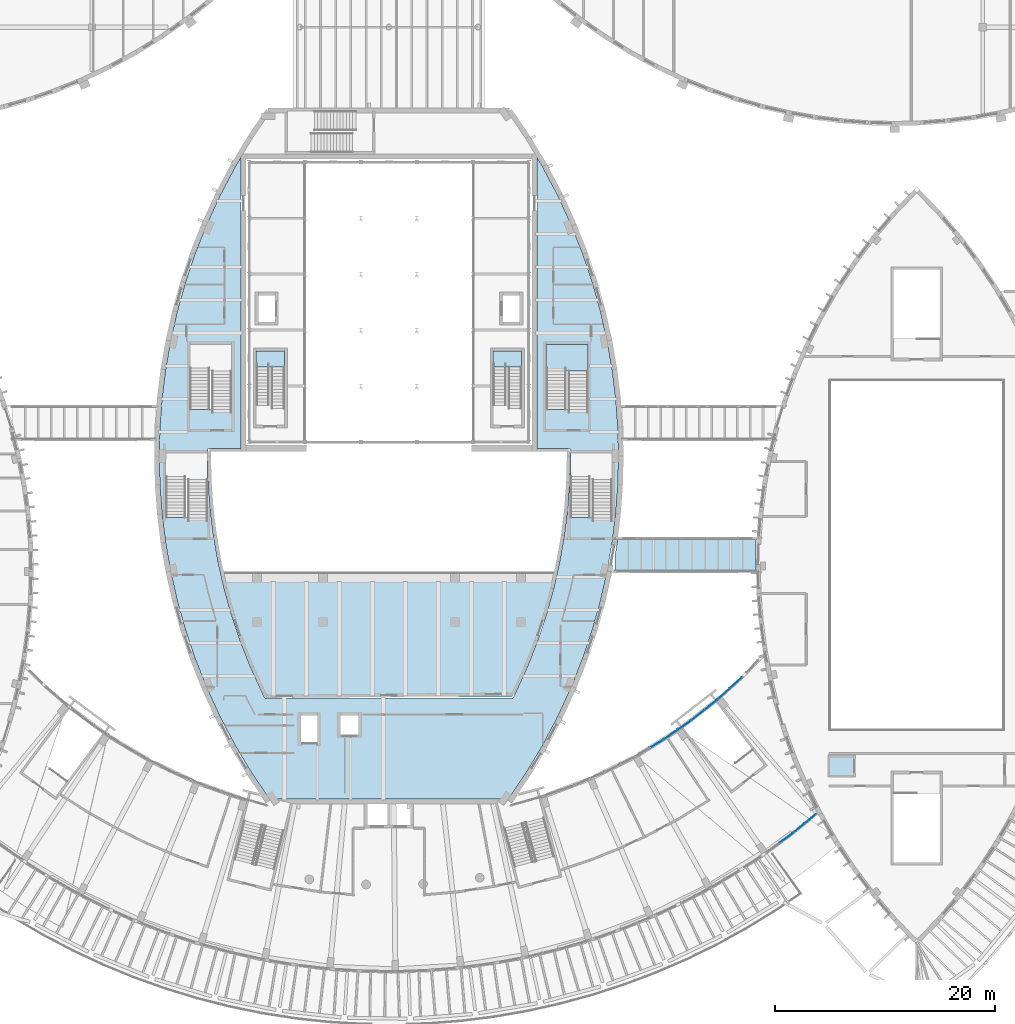
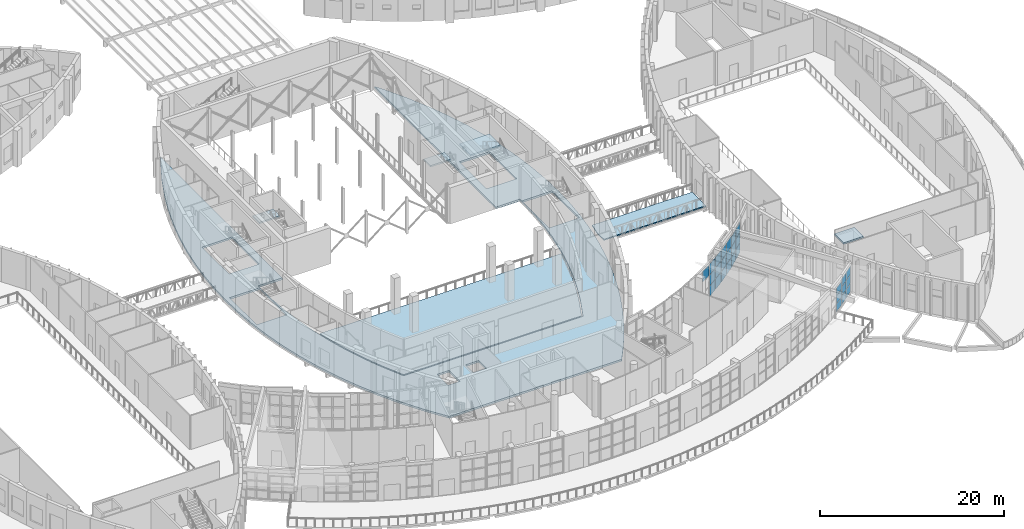
# One storey, part 45 of 93: 28 plates, 7 slabs, 9 elements without a shape of their own.
"""IFC4 building model written with IfcOpenShell, lengths in metres."""

from ifc_helpers import new_model, si_unit, direction, frame, origin, origin_2d, place, context, subcontext, project, spatial, polyline, rectangle, outline, extrude, material, layer, layer_set, type_object, element, aggregate, save


model = new_model("IFC4")

# Units and contexts
model_context = context("Model", 3, precision=1e-05, world=origin(), true_north=direction((0.0, 1.0)))
body_context = subcontext(model_context, "Body", "Model", "MODEL_VIEW")
ifc_project = project(units=[si_unit("LENGTHUNIT", "METRE"), si_unit("AREAUNIT", "SQUARE_METRE"), si_unit("VOLUMEUNIT", "CUBIC_METRE"), si_unit("PLANEANGLEUNIT", "RADIAN"), si_unit("MASSUNIT", "GRAM", prefix="KILO")], contexts=[model_context])

# Site, building, storey
site_placement = place(None, origin())
site = spatial("IfcSite", under=ifc_project, at=site_placement, CompositionType="ELEMENT")
building_placement = place(site_placement, origin())
building = spatial("IfcBuilding", under=site, at=building_placement, Name="Tide Square Theatres", CompositionType="ELEMENT")
storey_placement = place(building_placement, frame((0.0, 0.0, 5.39990234375)))
storey = spatial("IfcBuildingStorey", under=building, at=storey_placement, Name="L01", CompositionType="ELEMENT", Elevation=5.39990234375)

# Curtain wall, plates
ifc_material_1 = material(Name="Aluminium 6063-T5", Category="aluminium")
curtain_wall_type_1 = type_object("IfcCurtainWallType", Name="Stick system curtain wall 3000 high", PredefinedType="USERDEFINED", material=ifc_material_1)
curtain_wall_1_placement = place(storey_placement, origin())
curtain_wall_1 = element("IfcCurtainWall", 1, at=curtain_wall_1_placement, inside=storey, type_object=curtain_wall_type_1, Name="Foyer outer curtain wall", ObjectType="STICK SYSTEM", PredefinedType="USERDEFINED")
ifc_material_2 = material(Name="Double-glazed unit with aluminium frame", Category="aluminium")
ifc_layer_1 = layer(ifc_material_2, 0.030029296875)
ifc_layer_set_1 = layer_set([ifc_layer_1], Name="Double-glazed unit with aluminium frame")
plate_type = type_object("IfcPlateType", Name="Curtain wall panel 30 thick", PredefinedType="CURTAIN_PANEL", material=ifc_layer_set_1)
plate_1_placement = place(storey_placement, frame((120.1181640625, 20.263427734375, 0.05029296875), z_axis=(0.0, 0.0, 1.0), x_axis=(0.804828419201, 0.593507553151, 0.0)))
plate_1 = element("IfcPlate", 2, at=plate_1_placement, type_object=plate_type, Name="CW-10 panel 2.1", PredefinedType="CURTAIN_PANEL", context=body_context, shape_type="SweptSolid", body=[
    extrude(rectangle(XDim=1.4228515625, YDim=0.030029296875, at=origin_2d()), origin(), (0.0, 0.0, 1.0), 1.004638671875),
])
plate_2_placement = place(storey_placement, frame((120.1181640625, 20.263427734375, 1.104736328125), z_axis=(0.0, 0.0, 1.0), x_axis=(0.804828419201, 0.593507553151, 0.0)))
plate_2 = element("IfcPlate", 3, at=plate_2_placement, type_object=plate_type, Name="CW-10 panel 2.2", PredefinedType="CURTAIN_PANEL", context=body_context, shape_type="SweptSolid", body=[
    extrude(rectangle(XDim=1.4228515625, YDim=0.030029296875, at=origin_2d()), origin(), (0.0, 0.0, 1.0), 1.02978515625),
])
plate_3_placement = place(storey_placement, frame((120.1181640625, 20.263427734375, 2.1845703125), z_axis=(0.0, 0.0, 1.0), x_axis=(0.804828419201, 0.593507553151, 0.0)))
plate_3 = element("IfcPlate", 4, at=plate_3_placement, type_object=plate_type, Name="CW-10 panel 2.3", PredefinedType="CURTAIN_PANEL", context=body_context, shape_type="SweptSolid", body=[
    extrude(rectangle(XDim=1.4228515625, YDim=0.030029296875, at=origin_2d()), origin(), (0.0, 0.0, 1.0), 1.004638671875),
])
aggregate(curtain_wall_1, [plate_1, plate_2, plate_3])

ifc_material_3 = material(Name="Aluminium 6063-T5", Category="aluminium")
curtain_wall_type_2 = type_object("IfcCurtainWallType", Name="Unitised system curtain wall 3600 high", PredefinedType="USERDEFINED", material=ifc_material_3)
curtain_wall_2_placement = place(storey_placement, origin())
curtain_wall_2 = element("IfcCurtainWall", 5, at=curtain_wall_2_placement, inside=storey, type_object=curtain_wall_type_2, Name="Foyer outer curtain wall", ObjectType="UNITISED SYSTEM", PredefinedType="USERDEFINED")
plate_4_placement = place(storey_placement, frame((121.27294921875, 21.158447265625, 0.050048828125), z_axis=(0.0, 0.0, 1.0), x_axis=(0.774130599799, 0.63302591926, 0.0)))
plate_4 = element("IfcPlate", 6, at=plate_4_placement, type_object=plate_type, Name="CW-05 panel 1.1", PredefinedType="CURTAIN_PANEL", context=body_context, shape_type="SweptSolid", body=[
    extrude(rectangle(XDim=1.30029296875, YDim=0.030029296875, at=origin_2d()), origin(), (0.0, 0.0, 1.0), 1.1103515625),
])
plate_5_placement = place(storey_placement, frame((121.27294921875, 21.158447265625, 1.21044921875), z_axis=(0.0, 0.0, 1.0), x_axis=(0.774130599799, 0.63302591926, 0.0)))
plate_5 = element("IfcPlate", 7, at=plate_5_placement, type_object=plate_type, Name="CW-05 panel 1.2", PredefinedType="CURTAIN_PANEL", context=body_context, shape_type="SweptSolid", body=[
    extrude(rectangle(XDim=1.30029296875, YDim=0.030029296875, at=origin_2d()), origin(), (0.0, 0.0, 1.0), 1.13525390625),
])
plate_6_placement = place(storey_placement, frame((121.27294921875, 21.158447265625, 2.3955078125), z_axis=(0.0, 0.0, 1.0), x_axis=(0.774130599799, 0.63302591926, 0.0)))
plate_6 = element("IfcPlate", 8, at=plate_6_placement, type_object=plate_type, Name="CW-05 panel 1.3", PredefinedType="CURTAIN_PANEL", context=body_context, shape_type="SweptSolid", body=[
    extrude(rectangle(XDim=1.30029296875, YDim=0.030029296875, at=origin_2d()), origin(), (0.0, 0.0, 1.0), 1.110107421875),
])
plate_7_placement = place(storey_placement, frame((122.318115234375, 22.01318359375, 0.050048828125), z_axis=(0.0, 0.0, 1.0), x_axis=(0.774130599799, 0.63302591926, 0.0)))
plate_7 = element("IfcPlate", 9, at=plate_7_placement, type_object=plate_type, Name="CW-05 panel 2.1", PredefinedType="CURTAIN_PANEL", context=body_context, shape_type="SweptSolid", body=[
    extrude(rectangle(XDim=1.30029296875, YDim=0.030029296875, at=origin_2d()), origin(), (0.0, 0.0, 1.0), 1.1103515625),
])
plate_8_placement = place(storey_placement, frame((122.318115234375, 22.01318359375, 1.21044921875), z_axis=(0.0, 0.0, 1.0), x_axis=(0.774130599799, 0.63302591926, 0.0)))
plate_8 = element("IfcPlate", 10, at=plate_8_placement, type_object=plate_type, Name="CW-05 panel 2.2", PredefinedType="CURTAIN_PANEL", context=body_context, shape_type="SweptSolid", body=[
    extrude(rectangle(XDim=1.30029296875, YDim=0.030029296875, at=origin_2d()), origin(), (0.0, 0.0, 1.0), 1.13525390625),
])
plate_9_placement = place(storey_placement, frame((122.318115234375, 22.01318359375, 2.3955078125), z_axis=(0.0, 0.0, 1.0), x_axis=(0.774130599799, 0.63302591926, 0.0)))
plate_9 = element("IfcPlate", 11, at=plate_9_placement, type_object=plate_type, Name="CW-05 panel 2.3", PredefinedType="CURTAIN_PANEL", context=body_context, shape_type="SweptSolid", body=[
    extrude(rectangle(XDim=1.30029296875, YDim=0.030029296875, at=origin_2d()), origin(), (0.0, 0.0, 1.0), 1.110107421875),
])
aggregate(curtain_wall_2, [plate_4, plate_5, plate_6, plate_7, plate_8, plate_9])

ifc_material_4 = material(Name="Aluminium 6063-T5", Category="aluminium")
curtain_wall_type_3 = type_object("IfcCurtainWallType", Name="Unitised system curtain wall 4600 high", PredefinedType="USERDEFINED", material=ifc_material_4)
curtain_wall_3_placement = place(storey_placement, origin())
curtain_wall_3 = element("IfcCurtainWall", 12, at=curtain_wall_3_placement, inside=storey, type_object=curtain_wall_type_3, Name="Foyer inner curtain wall", ObjectType="UNITISED SYSTEM", PredefinedType="USERDEFINED")
plate_10_placement = place(storey_placement, frame((115.55615234375, 34.384765625, 0.050048828125), z_axis=(0.0, 0.0, 1.0), x_axis=(-0.740072620645, -0.672526963156, 0.0)))
plate_10 = element("IfcPlate", 13, at=plate_10_placement, type_object=plate_type, Name="CW-03 panel 1.1", PredefinedType="CURTAIN_PANEL", context=body_context, shape_type="SweptSolid", body=[
    extrude(rectangle(XDim=1.444091796875, YDim=0.030029296875, at=origin_2d()), origin(), (0.0, 0.0, 1.0), 1.3115234375),
])
plate_11_placement = place(storey_placement, frame((115.55615234375, 34.384765625, 1.41162109375), z_axis=(0.0, 0.0, 1.0), x_axis=(-0.740072620645, -0.672526963156, 0.0)))
plate_11 = element("IfcPlate", 14, at=plate_11_placement, type_object=plate_type, Name="CW-03 panel 1.2", PredefinedType="CURTAIN_PANEL", context=body_context, shape_type="SweptSolid", body=[
    extrude(rectangle(XDim=1.444091796875, YDim=0.030029296875, at=origin_2d()), origin(), (0.0, 0.0, 1.0), 1.33642578125),
])
plate_12_placement = place(storey_placement, frame((115.55615234375, 34.384765625, 2.79833984375), z_axis=(0.0, 0.0, 1.0), x_axis=(-0.740072620645, -0.672526963156, 0.0)))
plate_12 = element("IfcPlate", 15, at=plate_12_placement, type_object=plate_type, Name="CW-03 panel 1.3", PredefinedType="CURTAIN_PANEL", context=body_context, shape_type="SweptSolid", body=[
    extrude(rectangle(XDim=1.444091796875, YDim=0.030029296875, at=origin_2d()), origin(), (0.0, 0.0, 1.0), 1.3115234375),
])
plate_13_placement = place(storey_placement, frame((114.450439453125, 33.380126953125, 0.050048828125), z_axis=(0.0, 0.0, 1.0), x_axis=(-0.740072620645, -0.672526963156, 0.0)))
plate_13 = element("IfcPlate", 16, at=plate_13_placement, type_object=plate_type, Name="CW-03 panel 2.1", PredefinedType="CURTAIN_PANEL", context=body_context, shape_type="SweptSolid", body=[
    extrude(rectangle(XDim=1.444091796875, YDim=0.030029296875, at=origin_2d()), origin(), (0.0, 0.0, 1.0), 1.3115234375),
])
plate_14_placement = place(storey_placement, frame((114.450439453125, 33.380126953125, 1.41162109375), z_axis=(0.0, 0.0, 1.0), x_axis=(-0.740072620645, -0.672526963156, 0.0)))
plate_14 = element("IfcPlate", 17, at=plate_14_placement, type_object=plate_type, Name="CW-03 panel 2.2", PredefinedType="CURTAIN_PANEL", context=body_context, shape_type="SweptSolid", body=[
    extrude(rectangle(XDim=1.444091796875, YDim=0.030029296875, at=origin_2d()), origin(), (0.0, 0.0, 1.0), 1.33642578125),
])
plate_15_placement = place(storey_placement, frame((114.450439453125, 33.380126953125, 2.79833984375), z_axis=(0.0, 0.0, 1.0), x_axis=(-0.740072620645, -0.672526963156, 0.0)))
plate_15 = element("IfcPlate", 18, at=plate_15_placement, type_object=plate_type, Name="CW-03 panel 2.3", PredefinedType="CURTAIN_PANEL", context=body_context, shape_type="SweptSolid", body=[
    extrude(rectangle(XDim=1.444091796875, YDim=0.030029296875, at=origin_2d()), origin(), (0.0, 0.0, 1.0), 1.3115234375),
])
aggregate(curtain_wall_3, [plate_10, plate_11, plate_12, plate_13, plate_14, plate_15])

curtain_wall_4_placement = place(storey_placement, origin())
curtain_wall_4 = element("IfcCurtainWall", 19, at=curtain_wall_4_placement, inside=storey, type_object=curtain_wall_type_3, Name="Foyer inner curtain wall", ObjectType="UNITISED SYSTEM", PredefinedType="USERDEFINED")
plate_16_placement = place(storey_placement, frame((113.27490234375, 32.38037109375, 0.05029296875), z_axis=(0.0, 0.0, 1.0), x_axis=(-0.782747188343, -0.622339810024, 0.0)))
plate_16 = element("IfcPlate", 20, at=plate_16_placement, type_object=plate_type, Name="CW-03 panel 1.1", PredefinedType="CURTAIN_PANEL", context=body_context, shape_type="SweptSolid", body=[
    extrude(rectangle(XDim=1.44384765625, YDim=0.030029296875, at=origin_2d()), origin(), (0.0, 0.0, 1.0), 1.370849609375),
])
plate_17_placement = place(storey_placement, frame((113.27490234375, 32.38037109375, 1.470703125), z_axis=(0.0, 0.0, 1.0), x_axis=(-0.782747188343, -0.622339810024, 0.0)))
plate_17 = element("IfcPlate", 21, at=plate_17_placement, type_object=plate_type, Name="CW-03 panel 1.2", PredefinedType="CURTAIN_PANEL", context=body_context, shape_type="SweptSolid", body=[
    extrude(rectangle(XDim=1.44384765625, YDim=0.030029296875, at=origin_2d()), origin(), (0.0, 0.0, 1.0), 1.395751953125),
])
plate_18_placement = place(storey_placement, frame((113.27490234375, 32.38037109375, 2.91650390625), z_axis=(0.0, 0.0, 1.0), x_axis=(-0.782747188343, -0.622339810024, 0.0)))
plate_18 = element("IfcPlate", 22, at=plate_18_placement, type_object=plate_type, Name="CW-03 panel 1.3", PredefinedType="CURTAIN_PANEL", context=body_context, shape_type="SweptSolid", body=[
    extrude(rectangle(XDim=1.44384765625, YDim=0.030029296875, at=origin_2d()), origin(), (0.0, 0.0, 1.0), 1.370849609375),
])
plate_19_placement = place(storey_placement, frame((112.10546875, 31.45068359375, 0.05029296875), z_axis=(0.0, 0.0, 1.0), x_axis=(-0.782747188343, -0.622339810024, 0.0)))
plate_19 = element("IfcPlate", 23, at=plate_19_placement, type_object=plate_type, Name="CW-03 panel 2.1", PredefinedType="CURTAIN_PANEL", context=body_context, shape_type="SweptSolid", body=[
    extrude(rectangle(XDim=1.44384765625, YDim=0.030029296875, at=origin_2d()), origin(), (0.0, 0.0, 1.0), 1.370849609375),
])
plate_20_placement = place(storey_placement, frame((112.10546875, 31.45068359375, 1.470703125), z_axis=(0.0, 0.0, 1.0), x_axis=(-0.782747188343, -0.622339810024, 0.0)))
plate_20 = element("IfcPlate", 24, at=plate_20_placement, type_object=plate_type, Name="CW-03 panel 2.2", PredefinedType="CURTAIN_PANEL", context=body_context, shape_type="SweptSolid", body=[
    extrude(rectangle(XDim=1.44384765625, YDim=0.030029296875, at=origin_2d()), origin(), (0.0, 0.0, 1.0), 1.395751953125),
])
plate_21_placement = place(storey_placement, frame((112.10546875, 31.45068359375, 2.91650390625), z_axis=(0.0, 0.0, 1.0), x_axis=(-0.782747188343, -0.622339810024, 0.0)))
plate_21 = element("IfcPlate", 25, at=plate_21_placement, type_object=plate_type, Name="CW-03 panel 2.3", PredefinedType="CURTAIN_PANEL", context=body_context, shape_type="SweptSolid", body=[
    extrude(rectangle(XDim=1.44384765625, YDim=0.030029296875, at=origin_2d()), origin(), (0.0, 0.0, 1.0), 1.370849609375),
])
aggregate(curtain_wall_4, [plate_16, plate_17, plate_18, plate_19, plate_20, plate_21])

curtain_wall_5_placement = place(storey_placement, origin())
curtain_wall_5 = element("IfcCurtainWall", 26, at=curtain_wall_5_placement, inside=storey, type_object=curtain_wall_type_3, Name="Foyer inner curtain wall", ObjectType="UNITISED SYSTEM", PredefinedType="USERDEFINED")
plate_22_placement = place(storey_placement, frame((110.86669921875, 30.53076171875, 0.050048828125), z_axis=(0.0, 0.0, 1.0), x_axis=(-0.822012026751, -0.569470129047, 0.0)))
plate_22 = element("IfcPlate", 27, at=plate_22_placement, type_object=plate_type, Name="CW-03 panel 1.1", PredefinedType="CURTAIN_PANEL", context=body_context, shape_type="SweptSolid", body=[
    extrude(rectangle(XDim=1.44384765625, YDim=0.030029296875, at=origin_2d()), origin(), (0.0, 0.0, 1.0), 1.3916015625),
])
plate_23_placement = place(storey_placement, frame((110.86669921875, 30.53076171875, 1.491943359375), z_axis=(0.0, 0.0, 1.0), x_axis=(-0.822012026751, -0.569470129047, 0.0)))
plate_23 = element("IfcPlate", 28, at=plate_23_placement, type_object=plate_type, Name="CW-03 panel 1.2", PredefinedType="CURTAIN_PANEL", context=body_context, shape_type="SweptSolid", body=[
    extrude(rectangle(XDim=1.44384765625, YDim=0.030029296875, at=origin_2d()), origin(), (0.0, 0.0, 1.0), 1.41650390625),
])
plate_24_placement = place(storey_placement, frame((110.86669921875, 30.53076171875, 2.95849609375), z_axis=(0.0, 0.0, 1.0), x_axis=(-0.822012026751, -0.569470129047, 0.0)))
plate_24 = element("IfcPlate", 29, at=plate_24_placement, type_object=plate_type, Name="CW-03 panel 1.3", PredefinedType="CURTAIN_PANEL", context=body_context, shape_type="SweptSolid", body=[
    extrude(rectangle(XDim=1.44384765625, YDim=0.030029296875, at=origin_2d()), origin(), (0.0, 0.0, 1.0), 1.3916015625),
])
plate_25_placement = place(storey_placement, frame((109.638671875, 29.679931640625, 0.050048828125), z_axis=(0.0, 0.0, 1.0), x_axis=(-0.822012026751, -0.569470129047, 0.0)))
plate_25 = element("IfcPlate", 30, at=plate_25_placement, type_object=plate_type, Name="CW-03 panel 2.1", PredefinedType="CURTAIN_PANEL", context=body_context, shape_type="SweptSolid", body=[
    extrude(rectangle(XDim=1.44384765625, YDim=0.030029296875, at=origin_2d()), origin(), (0.0, 0.0, 1.0), 1.3916015625),
])
plate_26_placement = place(storey_placement, frame((109.638671875, 29.679931640625, 1.491943359375), z_axis=(0.0, 0.0, 1.0), x_axis=(-0.822012026751, -0.569470129047, 0.0)))
plate_26 = element("IfcPlate", 31, at=plate_26_placement, type_object=plate_type, Name="CW-03 panel 2.2", PredefinedType="CURTAIN_PANEL", context=body_context, shape_type="SweptSolid", body=[
    extrude(rectangle(XDim=1.44384765625, YDim=0.030029296875, at=origin_2d()), origin(), (0.0, 0.0, 1.0), 1.41650390625),
])
plate_27_placement = place(storey_placement, frame((109.638671875, 29.679931640625, 2.95849609375), z_axis=(0.0, 0.0, 1.0), x_axis=(-0.822012026751, -0.569470129047, 0.0)))
plate_27 = element("IfcPlate", 32, at=plate_27_placement, type_object=plate_type, Name="CW-03 panel 2.3", PredefinedType="CURTAIN_PANEL", context=body_context, shape_type="SweptSolid", body=[
    extrude(rectangle(XDim=1.44384765625, YDim=0.030029296875, at=origin_2d()), origin(), (0.0, 0.0, 1.0), 1.3916015625),
])
aggregate(curtain_wall_5, [plate_22, plate_23, plate_24, plate_25, plate_26, plate_27])

# Curtain wall, plate
curtain_wall_6_placement = place(storey_placement, origin())
curtain_wall_6 = element("IfcCurtainWall", 33, at=curtain_wall_6_placement, inside=storey, type_object=curtain_wall_type_3, Name="Foyer inner curtain wall", ObjectType="UNITISED SYSTEM", PredefinedType="USERDEFINED")
plate_28_placement = place(storey_placement, frame((108.342041015625, 28.843505859375, 2.95849609375), z_axis=(0.0, 0.0, 1.0), x_axis=(-0.857713583116, -0.514127814204, 0.0)))
plate_28 = element("IfcPlate", 34, at=plate_28_placement, type_object=plate_type, Name="CW-03 panel 1.3", PredefinedType="CURTAIN_PANEL", context=body_context, shape_type="SweptSolid", body=[
    extrude(rectangle(XDim=1.444091796875, YDim=0.030029296875, at=origin_2d()), origin(), (0.0, 0.0, 1.0), 1.3916015625),
])
aggregate(curtain_wall_6, [plate_28])

# Slabs
ifc_material_5 = material(Name="Concrete C35", Category="concrete")
ifc_layer_2 = layer(ifc_material_5, 0.14990234375)
ifc_layer_set_2 = layer_set([ifc_layer_2], Name="Concrete C35")
slab_type_1 = type_object("IfcSlabType", Name="RC floor slab 150", PredefinedType="FLOOR", material=ifc_layer_set_2)
slab_1_placement = place(storey_placement, frame((0.0, 0.0, -0.14990234375)))
element("IfcSlab", 35, at=slab_1_placement, inside=storey, type_object=slab_type_1, Name="Bridge BR-E2 deck", PredefinedType="FLOOR", context=body_context, shape_type="SweptSolid", body=[
    extrude(outline(polyline([(104.749267578125, 47.06689453125), (104.563720703125, 46.0), (104.563720703125, 44.5), (117.385986328125, 44.5), (117.372802734375, 45.0), (117.399169921875, 45.998779296875), (117.399169921875, 47.5), (104.802490234375, 47.5), (104.749267578125, 47.06689453125)])), origin(), (0.0, 0.0, 1.0), 0.14990234375),
])
ifc_material_6 = material(Name="Concrete C35", Category="concrete")
ifc_layer_3 = layer(ifc_material_6, 0.25)
ifc_layer_set_3 = layer_set([ifc_layer_3], Name="Concrete C35")
slab_type_2 = type_object("IfcSlabType", Name="RC floor slab 250", PredefinedType="FLOOR", material=ifc_layer_set_3)
slab_2_placement = place(storey_placement, frame((0.0, 0.0, -0.25)))
element("IfcSlab", 36, at=slab_2_placement, inside=storey, type_object=slab_type_2, Name="Floor slab", PredefinedType="FLOOR", context=body_context, shape_type="SweptSolid", body=[
    extrude(outline(polyline([(64.75048828125, 41.8671875), (65.490478515625, 39.22802734375), (66.364501953125, 36.63037109375), (67.3701171875, 34.081298828125), (68.622802734375, 31.345703125), (70.02685546875, 28.685302734375), (71.578125, 26.107666015625), (73.14501953125, 23.8076171875), (94.85498046875, 23.8076171875), (96.421875, 26.107666015625), (97.97314453125, 28.685302734375), (99.377197265625, 31.345703125), (100.6298828125, 34.081298828125), (101.635498046875, 36.63037109375), (102.509521484375, 39.22802734375), (103.24951171875, 41.8671875), (103.853515625, 44.540771484375), (104.303955078125, 47.13330078125), (104.62646484375, 49.744873046875), (104.8203125, 52.369384765625), (104.885009765625, 55.0), (104.8203125, 57.630615234375), (104.62646484375, 60.255126953125), (104.303955078125, 62.86669921875), (103.853515625, 65.459228515625), (103.24951171875, 68.1328125), (102.509521484375, 70.77197265625), (101.635498046875, 73.36962890625), (100.6298828125, 75.918701171875), (99.377197265625, 78.654296875), (97.97314453125, 81.314697265625), (97.449951171875, 82.18408203125), (97.449951171875, 55.699951171875), (100.46630859375, 55.699951171875), (100.483642578125, 55.0), (100.42431640625, 52.58544921875), (100.246337890625, 50.1767578125), (99.9501953125, 47.77978515625), (99.537353515625, 45.402587890625), (98.982421875, 42.946533203125), (98.303466796875, 40.5244140625), (97.501220703125, 38.140380859375), (96.580322265625, 35.805908203125), (95.42822265625, 33.2900390625), (95.275146484375, 33.0), (72.724853515625, 33.0), (72.57177734375, 33.2900390625), (71.419677734375, 35.805908203125), (70.498779296875, 38.140380859375), (69.696533203125, 40.5244140625), (69.017578125, 42.946533203125), (68.462646484375, 45.402587890625), (68.0498046875, 47.77978515625), (67.753662109375, 50.1767578125), (67.57568359375, 52.58544921875), (67.516357421875, 55.0), (67.53369140625, 55.699951171875), (70.550048828125, 55.699951171875), (70.550048828125, 82.18408203125), (70.02685546875, 81.314697265625), (68.622802734375, 78.654296875), (67.3701171875, 75.918701171875), (66.364501953125, 73.36962890625), (65.490478515625, 70.77197265625), (64.75048828125, 68.1328125), (64.146484375, 65.459228515625), (63.696044921875, 62.86669921875), (63.37353515625, 60.255126953125), (63.1796875, 57.630615234375), (63.114990234375, 55.0), (63.1796875, 52.369384765625), (63.37353515625, 49.744873046875), (63.696044921875, 47.13330078125), (64.146484375, 44.540771484375), (64.75048828125, 41.8671875)]), holes=[polyline([(65.89990234375, 59.2490234375), (69.699951171875, 59.2490234375), (69.699951171875, 65.14990234375), (65.89990234375, 65.14990234375), (65.89990234375, 59.2490234375)]), polyline([(98.300048828125, 65.14990234375), (98.300048828125, 59.2490234375), (102.10009765625, 59.2490234375), (102.10009765625, 65.14990234375), (98.300048828125, 65.14990234375)]), polyline([(67.5, 55.300048828125), (63.699951171875, 55.300048828125), (63.699951171875, 49.399169921875), (67.5, 49.399169921875), (67.5, 55.300048828125)]), polyline([(104.300048828125, 49.399169921875), (104.300048828125, 55.300048828125), (100.5, 55.300048828125), (100.5, 49.399169921875), (104.300048828125, 49.399169921875)]), polyline([(76.0, 31.39990234375), (76.0, 29.0), (77.5, 29.0), (77.5, 31.39990234375), (76.0, 31.39990234375)]), polyline([(81.25, 31.39990234375), (79.60009765625, 31.39990234375), (79.60009765625, 29.699951171875), (81.25, 29.699951171875), (81.25, 31.39990234375)])]), origin(), (0.0, 0.0, 1.0), 0.25),
])
slab_3_placement = place(storey_placement, frame((0.0, 0.0, -0.25)))
element("IfcSlab", 37, at=slab_3_placement, inside=storey, type_object=slab_type_2, Name="Dress circle slab", PredefinedType="FLOOR", context=body_context, shape_type="SweptSolid", body=[
    extrude(outline(polyline([(71.5576171875, 35.86474609375), (72.706298828125, 33.3564453125), (72.815185546875, 33.14990234375), (95.184814453125, 33.14990234375), (95.293701171875, 33.3564453125), (96.4423828125, 35.86474609375), (97.3603515625, 38.19189453125), (98.159912109375, 40.568603515625), (98.8369140625, 42.9833984375), (99.1796875, 44.5), (68.8203125, 44.5), (69.1630859375, 42.9833984375), (69.840087890625, 40.568603515625), (70.6396484375, 38.19189453125), (71.5576171875, 35.86474609375)])), origin(), (0.0, 0.0, 1.0), 0.25),
])

# Stair, slab
ifc_material_7 = material(Name="Concrete C35", Category="concrete")
stair_type_1 = type_object("IfcStairType", Name="Stair half turn 1800 wide, 28 risers, rise 4800", PredefinedType="HALF_TURN_STAIR", material=ifc_material_7)
stair_1_placement = place(storey_placement, origin())
stair_1 = element("IfcStair", 38, at=stair_1_placement, inside=storey, type_object=stair_type_1, Name="Main Theatre East Stair", PredefinedType="HALF_TURN_STAIR")
ifc_material_8 = material(Name="Concrete C35", Category="concrete")
ifc_layer_4 = layer(ifc_material_8, 0.199951171875)
ifc_layer_set_4 = layer_set([ifc_layer_4], Name="Concrete C35")
slab_type_3 = type_object("IfcSlabType", Name="RC landing slab 200", PredefinedType="LANDING", material=ifc_layer_set_4)
slab_4_placement = place(storey_placement, frame((0.0, 0.0, 2.2001953125)))
slab_4 = element("IfcSlab", 39, at=slab_4_placement, type_object=slab_type_3, Name="ST-1800-4800 landing 1", PredefinedType="LANDING", context=body_context, shape_type="SweptSolid", body=[
    extrude(outline(polyline([(102.10009765625, 62.719970703125), (102.10009765625, 65.14990234375), (98.300048828125, 65.14990234375), (98.300048828125, 62.719970703125), (102.10009765625, 62.719970703125)])), origin(), (0.0, 0.0, 1.0), 0.199951171875),
])
aggregate(stair_1, [slab_4])

ifc_material_9 = material(Name="Concrete C35", Category="concrete")
stair_type_2 = type_object("IfcStairType", Name="Stair half turn 1200 wide, 28 risers, rise 4800", PredefinedType="HALF_TURN_STAIR", material=ifc_material_9)
stair_2_placement = place(storey_placement, origin())
stair_2 = element("IfcStair", 40, at=stair_2_placement, inside=storey, type_object=stair_type_2, Name="Fly Tower west stair", PredefinedType="HALF_TURN_STAIR")
slab_5_placement = place(storey_placement, frame((0.0, 0.0, 2.2001953125)))
slab_5 = element("IfcSlab", 41, at=slab_5_placement, type_object=slab_type_3, Name="ST-1200-4800 landing 1", PredefinedType="LANDING", context=body_context, shape_type="SweptSolid", body=[
    extrude(outline(polyline([(74.52587890625, 63.095947265625), (74.52587890625, 64.575927734375), (71.926025390625, 64.575927734375), (71.926025390625, 63.095947265625), (74.52587890625, 63.095947265625)])), origin(), (0.0, 0.0, 1.0), 0.199951171875),
])
aggregate(stair_2, [slab_5])

stair_3_placement = place(storey_placement, origin())
stair_3 = element("IfcStair", 42, at=stair_3_placement, inside=storey, type_object=stair_type_2, Name="Fly Tower east stair", PredefinedType="HALF_TURN_STAIR")
slab_6_placement = place(storey_placement, frame((0.0, 0.0, 2.2001953125)))
slab_6 = element("IfcSlab", 43, at=slab_6_placement, type_object=slab_type_3, Name="ST-1200-4800 landing 1", PredefinedType="LANDING", context=body_context, shape_type="SweptSolid", body=[
    extrude(outline(polyline([(96.073974609375, 63.095947265625), (96.073974609375, 64.575927734375), (93.47412109375, 64.575927734375), (93.47412109375, 63.095947265625), (96.073974609375, 63.095947265625)])), origin(), (0.0, 0.0, 1.0), 0.199951171875),
])
aggregate(stair_3, [slab_6])

# Slab
ifc_material_10 = material(Name="Concrete C40", Category="concrete")
ifc_layer_5 = layer(ifc_material_10, 0.199951171875)
ifc_layer_set_5 = layer_set([ifc_layer_5], Name="Concrete C40")
slab_type_4 = type_object("IfcSlabType", Name="RC roof slab 200", PredefinedType="ROOF", material=ifc_layer_set_5)
slab_7_placement = place(storey_placement, frame((0.0, 0.0, 3.900146484375)))
element("IfcSlab", 44, at=slab_7_placement, inside=storey, type_object=slab_type_4, Name="Black Box Theatre lift overrun cover", PredefinedType="ROOF", context=body_context, shape_type="SweptSolid", body=[
    extrude(outline(polyline([(126.419921875, 25.800048828125), (126.419921875, 27.800048828125), (123.919921875, 27.800048828125), (123.919921875, 25.800048828125), (126.419921875, 25.800048828125)])), origin(), (0.0, 0.0, 1.0), 0.199951171875),
])

save(model, "model.ifc")
